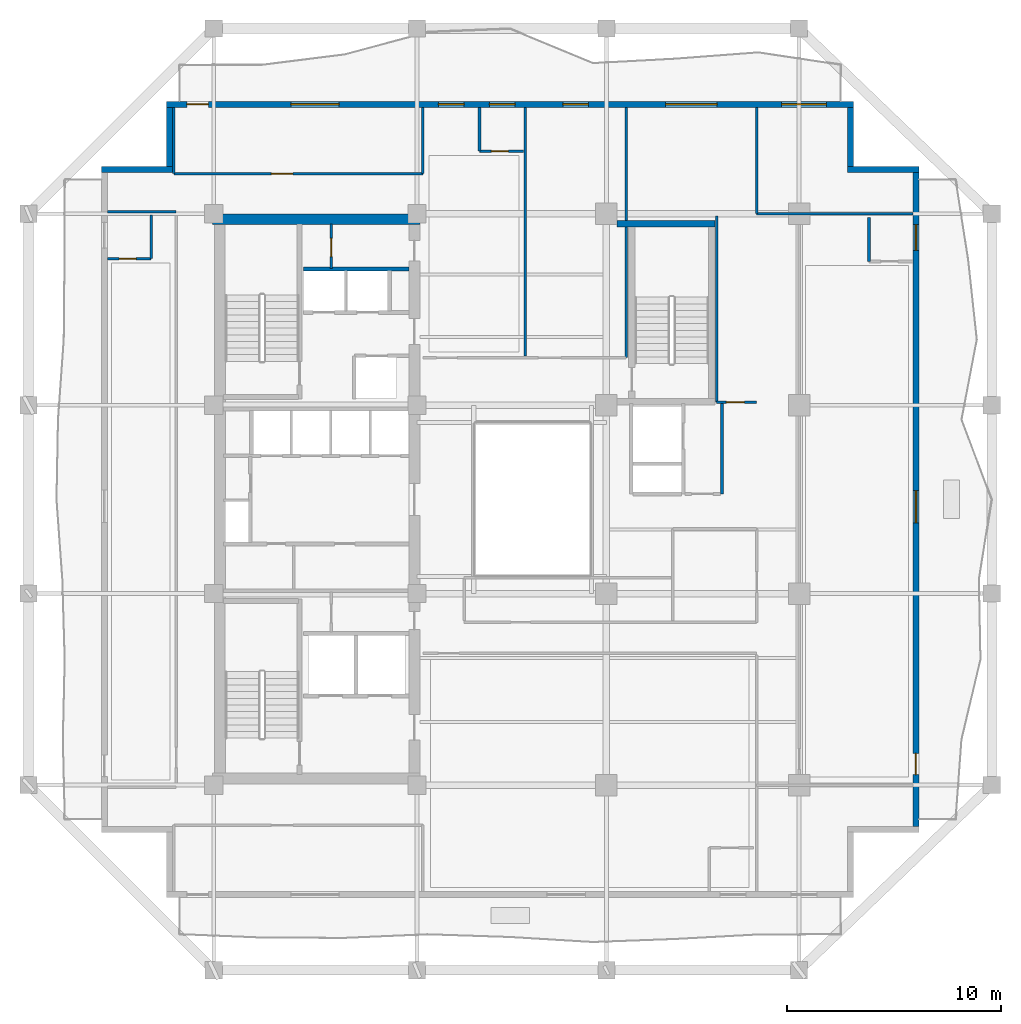
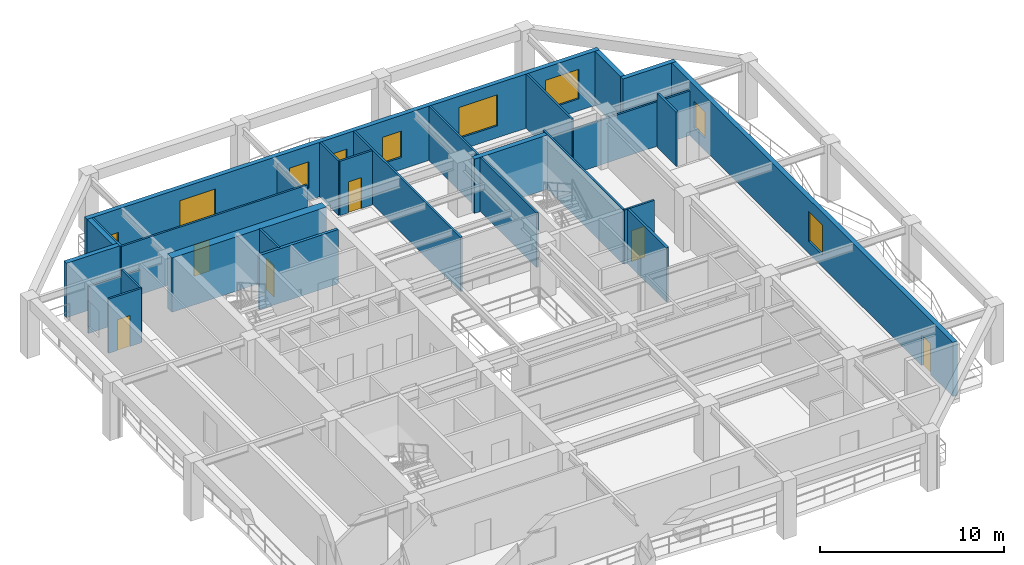
# One storey, part 5 of 10: 26 walls, 8 windows, 7 doors, 15 openings.
"""IFC4 building model written with IfcOpenShell, lengths in metres."""

from ifc_helpers import new_model, si_unit, direction, frame, frame_2d, origin, place, context, subcontext, project, spatial, rectangle, extrude, material, layer, layer_set, type_object, element, fill, save


model = new_model("IFC4")

# Units and contexts
model_context = context("Model", 3, precision=1e-05, world=origin(), true_north=direction((0.0, 1.0)))
body_context = subcontext(model_context, "Body", "Model", "MODEL_VIEW")
ifc_project = project(units=[si_unit("LENGTHUNIT", "METRE"), si_unit("AREAUNIT", "SQUARE_METRE"), si_unit("VOLUMEUNIT", "CUBIC_METRE"), si_unit("PLANEANGLEUNIT", "RADIAN"), si_unit("MASSUNIT", "GRAM", prefix="KILO")], contexts=[model_context])

# Site, building, storey
site_placement = place(None, origin())
site = spatial("IfcSite", under=ifc_project, at=site_placement, CompositionType="ELEMENT")
building_placement = place(site_placement, origin())
building = spatial("IfcBuilding", under=site, at=building_placement, Name="Kundavana Baori Tower", CompositionType="ELEMENT")
storey_placement = place(building_placement, frame((0.0, 0.0, 111.699951171875)))
storey = spatial("IfcBuildingStorey", under=building, at=storey_placement, Name="L26", CompositionType="ELEMENT", Elevation=111.699951171875)

# Wall
ifc_material_1 = material(Name="Concrete C50/60", Category="concrete")
ifc_layer_1 = layer(ifc_material_1, 0.5, Name="WL-CORE-500")
ifc_layer_set_1 = layer_set([ifc_layer_1], Name="Concrete C50/60")
wall_type_1 = type_object("IfcWallType", Name="WL-CORE-500", PredefinedType="SHEAR", material=ifc_layer_set_1)
wall_1_placement = place(storey_placement, frame((15.39990234375, 41.68994140625, 0.0), z_axis=(0.0, 0.0, 1.0), x_axis=(1.0, 0.0, 0.0)))
element("IfcWall", 1, at=wall_1_placement, inside=storey, type_object=wall_type_1, Name="L26 Offset Core North Shear Wall", PredefinedType="SHEAR", context=body_context, shape_type="SweptSolid", body=[
    extrude(rectangle(XDim=9.68017578125, YDim=0.5, at=frame_2d((4.840087890625, 0.0))), origin(), (0.0, 0.0, 1.0), 3.60009765625),
])

# Wall, openings, door, windows
ifc_material_2 = material(Name="Red-Buff Dholpur Sandstone Cladding on Concrete C40/50", Category="masonry")
ifc_layer_2 = layer(ifc_material_2, 0.280029296875, Name="WL-EXT-SAND-280")
ifc_layer_set_2 = layer_set([ifc_layer_2], Name="Red-Buff Dholpur Sandstone Cladding on Concrete C40/50")
wall_type_2 = type_object("IfcWallType", Name="WL-EXT-SAND-280", PredefinedType="STANDARD", material=ifc_layer_set_2)
wall_2_placement = place(storey_placement, frame((48.260009765625, 13.330078125, 0.0), z_axis=(0.0, 0.0, 1.0), x_axis=(0.0, 1.0, 0.0)))
wall_2 = element("IfcWall", 2, at=wall_2_placement, inside=storey, type_object=wall_type_2, Name="L26 Exterior Insulated Facade Wall 04", PredefinedType="STANDARD", context=body_context, shape_type="SweptSolid", body=[
    extrude(rectangle(XDim=30.5400390625, YDim=0.280029296875, at=frame_2d((15.27001953125, 0.0))), origin(), (0.0, 0.0, 1.0), 3.60009765625),
])
opening_1_placement = place(wall_2_placement, frame((2.409912109375, 0.0, 0.0)))
opening_1 = element("IfcOpeningElement", 3, at=opening_1_placement, cuts=wall_2, Name="Opening BD-1", PredefinedType="OPENING", context=body_context, shape_type="SweptSolid", body=[
    extrude(rectangle(XDim=1.0, YDim=2.050048828125, at=frame_2d((0.5, 1.02490234375))), frame((0.0, 0.14990234375, 0.0), z_axis=(0.0, -1.0, 0.0), x_axis=(1.0, 0.0, 0.0)), (0.0, 0.0, 1.0), 0.300048828125),
])
opening_2_placement = place(wall_2_placement, frame((14.179931640625, 0.0, 0.800048828125)))
opening_2 = element("IfcOpeningElement", 4, at=opening_2_placement, cuts=wall_2, Name="Opening W-02", PredefinedType="OPENING", context=body_context, shape_type="SweptSolid", body=[
    extrude(rectangle(XDim=1.5, YDim=2.0, at=frame_2d((0.75, 1.0))), frame((0.0, 0.14990234375, 0.0), z_axis=(0.0, -1.0, 0.0), x_axis=(1.0, 0.0, 0.0)), (0.0, 0.0, 1.0), 0.300048828125),
])
opening_3_placement = place(wall_2_placement, frame((26.905029296875, 0.0, 0.800048828125)))
opening_3 = element("IfcOpeningElement", 5, at=opening_3_placement, cuts=wall_2, Name="Opening W-03", PredefinedType="OPENING", context=body_context, shape_type="SweptSolid", body=[
    extrude(rectangle(XDim=1.199951171875, YDim=1.75, at=frame_2d((0.60009765625, 0.875))), frame((0.0, 0.14990234375, 0.0), z_axis=(0.0, -1.0, 0.0), x_axis=(1.0, 0.0, 0.0)), (0.0, 0.0, 1.0), 0.300048828125),
])
ifc_material_3 = material(Name="Architectural Patinated Bronze Metalwork")
door_type_1 = type_object("IfcDoorType", Name="DR-EXT-LOG-1000", OperationType="NOTDEFINED", PredefinedType="DOOR", material=ifc_material_3)
door_1_placement = place(opening_1_placement, frame((1.0, 0.0, 0.0), z_axis=(0.0, 0.0, 1.0), x_axis=(-1.0, 0.0, 0.0)))
door_1 = element("IfcDoor", 6, at=door_1_placement, inside=storey, type_object=door_type_1, Name="L26 Loggia Balcony Access Door E", OperationType="SINGLE_SWING_RIGHT", OverallHeight=2.050048828125, OverallWidth=1.0, PredefinedType="DOOR", context=body_context, shape_type="SweptSolid", body=[
    extrude(rectangle(XDim=1.0, YDim=2.050048828125, at=frame_2d((0.5, 1.02490234375))), frame((0.0, 0.02490234375, 0.0), z_axis=(0.0, -1.0, 0.0), x_axis=(1.0, 0.0, 0.0)), (0.0, 0.0, 1.0), 0.050048828125),
])
fill(opening_1, door_1)
ifc_material_4 = material(Name="Double-Glazed Solar-Control Low-E Insulated Glass", Category="glass")
window_type_1 = type_object("IfcWindowType", Name="WIN-LOG-1200x1750", PartitioningType="SINGLE_PANEL", PredefinedType="WINDOW", material=ifc_material_4)
window_1_placement = place(opening_3_placement, origin())
window_1 = element("IfcWindow", 7, at=window_1_placement, inside=storey, type_object=window_type_1, Name="L26 Recessed Loggia Window E-2", OverallHeight=1.75, OverallWidth=1.199951171875, PartitioningType="SINGLE_PANEL", PredefinedType="WINDOW", context=body_context, shape_type="SweptSolid", body=[
    extrude(rectangle(XDim=1.199951171875, YDim=1.75, at=frame_2d((0.60009765625, 0.875))), frame((0.0, 0.030029296875, 0.0), z_axis=(0.0, -1.0, 0.0), x_axis=(1.0, 0.0, 0.0)), (0.0, 0.0, 1.0), 0.06005859375),
])
fill(opening_3, window_1)
ifc_material_5 = material(Name="Double-Glazed Solar-Control Low-E Insulated Glass", Category="glass")
window_type_2 = type_object("IfcWindowType", Name="WIN-LOG-1500x2000", PartitioningType="SINGLE_PANEL", PredefinedType="WINDOW", material=ifc_material_5)
window_2_placement = place(opening_2_placement, origin())
window_2 = element("IfcWindow", 8, at=window_2_placement, inside=storey, type_object=window_type_2, Name="L26 Recessed Loggia Window E-1", OverallHeight=2.0, OverallWidth=1.5, PartitioningType="SINGLE_PANEL", PredefinedType="WINDOW", context=body_context, shape_type="SweptSolid", body=[
    extrude(rectangle(XDim=1.5, YDim=2.0, at=frame_2d((0.75, 1.0))), frame((0.0, 0.030029296875, 0.0), z_axis=(0.0, -1.0, 0.0), x_axis=(1.0, 0.0, 0.0)), (0.0, 0.0, 1.0), 0.06005859375),
])
fill(opening_2, window_2)

# Walls
wall_3_placement = place(storey_placement, frame((48.39990234375, 44.010009765625, 0.0), z_axis=(0.0, 0.0, 1.0), x_axis=(-1.0, 0.0, 0.0)))
element("IfcWall", 9, at=wall_3_placement, inside=storey, type_object=wall_type_2, Name="L26 Exterior Insulated Facade Wall 05", PredefinedType="STANDARD", context=body_context, shape_type="SweptSolid", body=[
    extrude(rectangle(XDim=3.329833984375, YDim=0.280029296875, at=frame_2d((1.6650390625, 0.0))), origin(), (0.0, 0.0, 1.0), 3.60009765625),
])
wall_4_placement = place(storey_placement, frame((45.2099609375, 44.14990234375, 0.0), z_axis=(0.0, 0.0, 1.0), x_axis=(0.0, 1.0, 0.0)))
element("IfcWall", 10, at=wall_4_placement, inside=storey, type_object=wall_type_2, Name="L26 Exterior Insulated Facade Wall 06", PredefinedType="STANDARD", context=body_context, shape_type="SweptSolid", body=[
    extrude(rectangle(XDim=2.77001953125, YDim=0.280029296875, at=frame_2d((1.385009765625, 0.0))), origin(), (0.0, 0.0, 1.0), 3.60009765625),
])

# Wall, openings, door, windows
wall_5_placement = place(storey_placement, frame((45.35009765625, 47.06005859375, 0.0), z_axis=(0.0, 0.0, 1.0), x_axis=(-1.0, 0.0, 0.0)))
wall_5 = element("IfcWall", 11, at=wall_5_placement, inside=storey, type_object=wall_type_2, Name="L26 Exterior Insulated Facade Wall 07", PredefinedType="STANDARD", context=body_context, shape_type="SweptSolid", body=[
    extrude(rectangle(XDim=32.10009765625, YDim=0.280029296875, at=frame_2d((16.050048828125, 0.0))), origin(), (0.0, 0.0, 1.0), 3.60009765625),
])
opening_4_placement = place(wall_5_placement, frame((30.14990234375, 0.0, 0.0)))
opening_4 = element("IfcOpeningElement", 12, at=opening_4_placement, cuts=wall_5, Name="Opening BD-1", PredefinedType="OPENING", context=body_context, shape_type="SweptSolid", body=[
    extrude(rectangle(XDim=1.0, YDim=2.050048828125, at=frame_2d((0.5, 1.02490234375))), frame((0.0, 0.14990234375, 0.0), z_axis=(0.0, -1.0, 0.0), x_axis=(1.0, 0.0, 0.0)), (0.0, 0.0, 1.0), 0.300048828125),
])
opening_5_placement = place(wall_5_placement, frame((24.044921875, 0.0, 0.800048828125)))
opening_5 = element("IfcOpeningElement", 13, at=opening_5_placement, cuts=wall_5, Name="Opening W-10", PredefinedType="OPENING", context=body_context, shape_type="SweptSolid", body=[
    extrude(rectangle(XDim=2.25, YDim=2.0, at=frame_2d((1.125, 1.0))), frame((0.0, 0.14990234375, 0.0), z_axis=(0.0, -1.0, 0.0), x_axis=(1.0, 0.0, 0.0)), (0.0, 0.0, 1.0), 0.300048828125),
])
opening_6_placement = place(wall_5_placement, frame((18.205078125, 0.0, 0.800048828125)))
opening_6 = element("IfcOpeningElement", 14, at=opening_6_placement, cuts=wall_5, Name="Opening W-03", PredefinedType="OPENING", context=body_context, shape_type="SweptSolid", body=[
    extrude(rectangle(XDim=1.199951171875, YDim=1.75, at=frame_2d((0.60009765625, 0.875))), frame((0.0, 0.14990234375, 0.0), z_axis=(0.0, -1.0, 0.0), x_axis=(1.0, 0.0, 0.0)), (0.0, 0.0, 1.0), 0.300048828125),
])
opening_7_placement = place(wall_5_placement, frame((15.81494140625, 0.0, 0.800048828125)))
opening_7 = element("IfcOpeningElement", 15, at=opening_7_placement, cuts=wall_5, Name="Opening W-03", PredefinedType="OPENING", context=body_context, shape_type="SweptSolid", body=[
    extrude(rectangle(XDim=1.199951171875, YDim=1.75, at=frame_2d((0.60009765625, 0.875))), frame((0.0, 0.14990234375, 0.0), z_axis=(0.0, -1.0, 0.0), x_axis=(1.0, 0.0, 0.0)), (0.0, 0.0, 1.0), 0.300048828125),
])
opening_8_placement = place(wall_5_placement, frame((12.389892578125, 0.0, 0.800048828125)))
opening_8 = element("IfcOpeningElement", 16, at=opening_8_placement, cuts=wall_5, Name="Opening W-03", PredefinedType="OPENING", context=body_context, shape_type="SweptSolid", body=[
    extrude(rectangle(XDim=1.199951171875, YDim=1.75, at=frame_2d((0.60009765625, 0.875))), frame((0.0, 0.14990234375, 0.0), z_axis=(0.0, -1.0, 0.0), x_axis=(1.0, 0.0, 0.0)), (0.0, 0.0, 1.0), 0.300048828125),
])
opening_9_placement = place(wall_5_placement, frame((6.3798828125, 0.0, 0.800048828125)))
opening_9 = element("IfcOpeningElement", 17, at=opening_9_placement, cuts=wall_5, Name="Opening W-04", PredefinedType="OPENING", context=body_context, shape_type="SweptSolid", body=[
    extrude(rectangle(XDim=2.39990234375, YDim=2.050048828125, at=frame_2d((1.199951171875, 1.02490234375))), frame((0.0, 0.14990234375, 0.0), z_axis=(0.0, -1.0, 0.0), x_axis=(1.0, 0.0, 0.0)), (0.0, 0.0, 1.0), 0.300048828125),
])
opening_10_placement = place(wall_5_placement, frame((1.27001953125, 0.0, 0.800048828125)))
opening_10 = element("IfcOpeningElement", 18, at=opening_10_placement, cuts=wall_5, Name="Opening W-05", PredefinedType="OPENING", context=body_context, shape_type="SweptSolid", body=[
    extrude(rectangle(XDim=2.10009765625, YDim=1.949951171875, at=frame_2d((1.050048828125, 0.97509765625))), frame((0.0, 0.14990234375, 0.0), z_axis=(0.0, -1.0, 0.0), x_axis=(1.0, 0.0, 0.0)), (0.0, 0.0, 1.0), 0.300048828125),
])
door_2_placement = place(opening_4_placement, frame((1.0, 0.0, 0.0), z_axis=(0.0, 0.0, 1.0), x_axis=(-1.0, 0.0, 0.0)))
door_2 = element("IfcDoor", 19, at=door_2_placement, inside=storey, type_object=door_type_1, Name="L26 Loggia Balcony Access Door N", OperationType="SINGLE_SWING_LEFT", OverallHeight=2.050048828125, OverallWidth=1.0, PredefinedType="DOOR", context=body_context, shape_type="SweptSolid", body=[
    extrude(rectangle(XDim=1.0, YDim=2.050048828125, at=frame_2d((0.5, 1.02490234375))), frame((0.0, 0.02490234375, 0.0), z_axis=(0.0, -1.0, 0.0), x_axis=(1.0, 0.0, 0.0)), (0.0, 0.0, 1.0), 0.050048828125),
])
fill(opening_4, door_2)
window_3_placement = place(opening_6_placement, origin())
window_3 = element("IfcWindow", 20, at=window_3_placement, inside=storey, type_object=window_type_1, Name="L26 Recessed Loggia Window N-2", OverallHeight=1.75, OverallWidth=1.199951171875, PartitioningType="SINGLE_PANEL", PredefinedType="WINDOW", context=body_context, shape_type="SweptSolid", body=[
    extrude(rectangle(XDim=1.199951171875, YDim=1.75, at=frame_2d((0.60009765625, 0.875))), frame((0.0, 0.030029296875, 0.0), z_axis=(0.0, -1.0, 0.0), x_axis=(1.0, 0.0, 0.0)), (0.0, 0.0, 1.0), 0.06005859375),
])
fill(opening_6, window_3)
window_4_placement = place(opening_7_placement, origin())
window_4 = element("IfcWindow", 21, at=window_4_placement, inside=storey, type_object=window_type_1, Name="L26 Recessed Loggia Window N-3", OverallHeight=1.75, OverallWidth=1.199951171875, PartitioningType="SINGLE_PANEL", PredefinedType="WINDOW", context=body_context, shape_type="SweptSolid", body=[
    extrude(rectangle(XDim=1.199951171875, YDim=1.75, at=frame_2d((0.60009765625, 0.875))), frame((0.0, 0.030029296875, 0.0), z_axis=(0.0, -1.0, 0.0), x_axis=(1.0, 0.0, 0.0)), (0.0, 0.0, 1.0), 0.06005859375),
])
fill(opening_7, window_4)
window_5_placement = place(opening_8_placement, origin())
window_5 = element("IfcWindow", 22, at=window_5_placement, inside=storey, type_object=window_type_1, Name="L26 Recessed Loggia Window N-4", OverallHeight=1.75, OverallWidth=1.199951171875, PartitioningType="SINGLE_PANEL", PredefinedType="WINDOW", context=body_context, shape_type="SweptSolid", body=[
    extrude(rectangle(XDim=1.199951171875, YDim=1.75, at=frame_2d((0.60009765625, 0.875))), frame((0.0, 0.030029296875, 0.0), z_axis=(0.0, -1.0, 0.0), x_axis=(1.0, 0.0, 0.0)), (0.0, 0.0, 1.0), 0.06005859375),
])
fill(opening_8, window_5)
ifc_material_6 = material(Name="Double-Glazed Solar-Control Low-E Insulated Glass", Category="glass")
window_type_3 = type_object("IfcWindowType", Name="WIN-LOG-2100x1950", PartitioningType="SINGLE_PANEL", PredefinedType="WINDOW", material=ifc_material_6)
window_6_placement = place(opening_10_placement, origin())
window_6 = element("IfcWindow", 23, at=window_6_placement, inside=storey, type_object=window_type_3, Name="L26 Recessed Loggia Window N-6", OverallHeight=1.949951171875, OverallWidth=2.10009765625, PartitioningType="SINGLE_PANEL", PredefinedType="WINDOW", context=body_context, shape_type="SweptSolid", body=[
    extrude(rectangle(XDim=2.10009765625, YDim=1.949951171875, at=frame_2d((1.050048828125, 0.97509765625))), frame((0.0, 0.030029296875, 0.0), z_axis=(0.0, -1.0, 0.0), x_axis=(1.0, 0.0, 0.0)), (0.0, 0.0, 1.0), 0.06005859375),
])
fill(opening_10, window_6)
ifc_material_7 = material(Name="Double-Glazed Solar-Control Low-E Insulated Glass", Category="glass")
window_type_4 = type_object("IfcWindowType", Name="WIN-LOG-2250x2000", PartitioningType="SINGLE_PANEL", PredefinedType="WINDOW", material=ifc_material_7)
window_7_placement = place(opening_5_placement, origin())
window_7 = element("IfcWindow", 24, at=window_7_placement, inside=storey, type_object=window_type_4, Name="L26 Recessed Loggia Window N-1", OverallHeight=2.0, OverallWidth=2.25, PartitioningType="SINGLE_PANEL", PredefinedType="WINDOW", context=body_context, shape_type="SweptSolid", body=[
    extrude(rectangle(XDim=2.25, YDim=2.0, at=frame_2d((1.125, 1.0))), frame((0.0, 0.030029296875, 0.0), z_axis=(0.0, -1.0, 0.0), x_axis=(1.0, 0.0, 0.0)), (0.0, 0.0, 1.0), 0.06005859375),
])
fill(opening_5, window_7)
ifc_material_8 = material(Name="Double-Glazed Solar-Control Low-E Insulated Glass", Category="glass")
window_type_5 = type_object("IfcWindowType", Name="WIN-LOG-2400x2050", PartitioningType="SINGLE_PANEL", PredefinedType="WINDOW", material=ifc_material_8)
window_8_placement = place(opening_9_placement, origin())
window_8 = element("IfcWindow", 25, at=window_8_placement, inside=storey, type_object=window_type_5, Name="L26 Recessed Loggia Window N-5", OverallHeight=2.050048828125, OverallWidth=2.39990234375, PartitioningType="SINGLE_PANEL", PredefinedType="WINDOW", context=body_context, shape_type="SweptSolid", body=[
    extrude(rectangle(XDim=2.39990234375, YDim=2.050048828125, at=frame_2d((1.199951171875, 1.02490234375))), frame((0.0, 0.030029296875, 0.0), z_axis=(0.0, -1.0, 0.0), x_axis=(1.0, 0.0, 0.0)), (0.0, 0.0, 1.0), 0.06005859375),
])
fill(opening_9, window_8)

# Walls
wall_6_placement = place(storey_placement, frame((13.389892578125, 46.919921875, 0.0), z_axis=(0.0, 0.0, 1.0), x_axis=(0.0, -1.0, 0.0)))
element("IfcWall", 26, at=wall_6_placement, inside=storey, type_object=wall_type_2, Name="L26 Exterior Insulated Facade Wall 08", PredefinedType="STANDARD", context=body_context, shape_type="SweptSolid", body=[
    extrude(rectangle(XDim=2.77001953125, YDim=0.280029296875, at=frame_2d((1.385009765625, 0.0))), origin(), (0.0, 0.0, 1.0), 3.60009765625),
])
wall_7_placement = place(storey_placement, frame((13.530029296875, 44.010009765625, 0.0), z_axis=(0.0, 0.0, 1.0), x_axis=(-1.0, 0.0, 0.0)))
element("IfcWall", 27, at=wall_7_placement, inside=storey, type_object=wall_type_2, Name="L26 Exterior Insulated Facade Wall 09", PredefinedType="STANDARD", context=body_context, shape_type="SweptSolid", body=[
    extrude(rectangle(XDim=3.330078125, YDim=0.280029296875, at=frame_2d((1.6650390625, 0.0))), origin(), (0.0, 0.0, 1.0), 3.60009765625),
])

# Wall, opening, door
ifc_material_9 = material(Name="Acoustic Gypsum Plasterboard on Galvanised Steel Studs", Category="steel")
ifc_layer_3 = layer(ifc_material_9, 0.1201171875, Name="WL-PART-120")
ifc_layer_set_3 = layer_set([ifc_layer_3], Name="Acoustic Gypsum Plasterboard on Galvanised Steel Studs")
wall_type_3 = type_object("IfcWallType", Name="WL-PART-120", PredefinedType="PARTITIONING", material=ifc_layer_set_3)
wall_8_placement = place(storey_placement, frame((20.949951171875, 39.39990234375, 0.0), z_axis=(0.0, 0.0, 1.0), x_axis=(0.0, 1.0, 0.0)))
wall_8 = element("IfcWall", 28, at=wall_8_placement, inside=storey, type_object=wall_type_3, Name="WL-L26-CSRV-D2", PredefinedType="PARTITIONING", context=body_context, shape_type="SweptSolid", body=[
    extrude(rectangle(XDim=2.080078125, YDim=0.1201171875, at=frame_2d((1.0400390625, 0.0))), origin(), (0.0, 0.0, 1.0), 3.60009765625),
])
opening_11_placement = place(wall_8_placement, frame((0.550048828125, 0.0, 0.0)))
opening_11 = element("IfcOpeningElement", 29, at=opening_11_placement, cuts=wall_8, Name="Opening FD-085", PredefinedType="OPENING", context=body_context, shape_type="SweptSolid", body=[
    extrude(rectangle(XDim=0.85009765625, YDim=2.06005859375, at=frame_2d((0.425048828125, 1.030029296875))), frame((0.0, 0.070068359375, 0.0), z_axis=(0.0, -1.0, 0.0), x_axis=(1.0, 0.0, 0.0)), (0.0, 0.0, 1.0), 0.14013671875),
])
ifc_material_10 = material(Name="Galvanised Steel Fire-Rated Door Leaf", Category="steel")
door_type_2 = type_object("IfcDoorType", Name="DR-FD60-850", OperationType="NOTDEFINED", PredefinedType="DOOR", material=ifc_material_10)
door_3_placement = place(opening_11_placement, origin())
door_3 = element("IfcDoor", 30, at=door_3_placement, inside=storey, type_object=door_type_2, Name="DR-L26-CSRV1", OperationType="SINGLE_SWING_RIGHT", OverallHeight=2.06005859375, OverallWidth=0.85009765625, PredefinedType="DOOR", context=body_context, shape_type="SweptSolid", body=[
    extrude(rectangle(XDim=0.85009765625, YDim=2.06005859375, at=frame_2d((0.425048828125, 1.030029296875))), frame((0.0, 0.02490234375, 0.0), z_axis=(0.0, -1.0, 0.0), x_axis=(1.0, 0.0, 0.0)), (0.0, 0.0, 1.0), 0.050048828125),
])
fill(opening_11, door_3)

# Walls
wall_9_placement = place(storey_placement, frame((40.820068359375, 41.949951171875, 0.0), z_axis=(0.0, 0.0, 1.0), x_axis=(1.0, 0.0, 0.0)))
element("IfcWall", 31, at=wall_9_placement, inside=storey, type_object=wall_type_3, Name="WL-L26-HEN", PredefinedType="PARTITIONING", context=body_context, shape_type="SweptSolid", body=[
    extrude(rectangle(XDim=7.300048828125, YDim=0.1201171875, at=frame_2d((3.64990234375, 0.0))), origin(), (0.0, 0.0, 1.0), 2.949951171875),
])
wall_10_placement = place(storey_placement, frame((10.47998046875, 42.0400390625, 0.0), z_axis=(0.0, 0.0, 1.0), x_axis=(1.0, 0.0, 0.0)))
element("IfcWall", 32, at=wall_10_placement, inside=storey, type_object=wall_type_3, Name="WL-L26-HWN", PredefinedType="PARTITIONING", context=body_context, shape_type="SweptSolid", body=[
    extrude(rectangle(XDim=3.219970703125, YDim=0.1201171875, at=frame_2d((1.60986328125, 0.0))), origin(), (0.0, 0.0, 1.0), 3.10009765625),
])

# Wall, opening, door
wall_11_placement = place(storey_placement, frame((13.590087890625, 43.820068359375, 0.0), z_axis=(0.0, 0.0, 1.0), x_axis=(1.0, 0.0, 0.0)))
wall_11 = element("IfcWall", 33, at=wall_11_placement, inside=storey, type_object=wall_type_3, Name="WL-L26-HNC", PredefinedType="PARTITIONING", context=body_context, shape_type="SweptSolid", body=[
    extrude(rectangle(XDim=11.6298828125, YDim=0.1201171875, at=frame_2d((5.81494140625, 0.0))), origin(), (0.0, 0.0, 1.0), 3.60009765625),
])
opening_12_placement = place(wall_11_placement, frame((4.56005859375, 0.0, 0.0)))
opening_12 = element("IfcOpeningElement", 34, at=opening_12_placement, cuts=wall_11, Name="Opening ID-100", PredefinedType="OPENING", context=body_context, shape_type="SweptSolid", body=[
    extrude(rectangle(XDim=1.0, YDim=2.080078125, at=frame_2d((0.5, 1.0400390625))), frame((0.0, 0.070068359375, 0.0), z_axis=(0.0, -1.0, 0.0), x_axis=(1.0, 0.0, 0.0)), (0.0, 0.0, 1.0), 0.14013671875),
])
ifc_material_11 = material(Name="Engineered Teak Solid-Core Timber Veneer", Category="wood")
door_type_3 = type_object("IfcDoorType", Name="DR-INT-1000", OperationType="NOTDEFINED", PredefinedType="DOOR", material=ifc_material_11)
door_4_placement = place(opening_12_placement, origin())
door_4 = element("IfcDoor", 35, at=door_4_placement, inside=storey, type_object=door_type_3, Name="DR-L26-HMNW", OperationType="SINGLE_SWING_RIGHT", OverallHeight=2.080078125, OverallWidth=1.0, PredefinedType="DOOR", context=body_context, shape_type="SweptSolid", body=[
    extrude(rectangle(XDim=1.0, YDim=2.080078125, at=frame_2d((0.5, 1.0400390625))), frame((0.0, 0.02490234375, 0.0), z_axis=(0.0, -1.0, 0.0), x_axis=(1.0, 0.0, 0.0)), (0.0, 0.0, 1.0), 0.050048828125),
])
fill(opening_12, door_4)

# Walls
wall_12_placement = place(storey_placement, frame((13.590087890625, 43.820068359375, 0.0), z_axis=(0.0, 0.0, 1.0), x_axis=(0.0, 1.0, 0.0)))
element("IfcWall", 36, at=wall_12_placement, inside=storey, type_object=wall_type_3, Name="WL-L26-HNCW", PredefinedType="PARTITIONING", context=body_context, shape_type="SweptSolid", body=[
    extrude(rectangle(XDim=3.099853515625, YDim=0.1201171875, at=frame_2d((1.5498046875, 0.0))), origin(), (0.0, 0.0, 1.0), 3.60009765625),
])
wall_13_placement = place(storey_placement, frame((25.219970703125, 43.820068359375, 0.0), z_axis=(0.0, 0.0, 1.0), x_axis=(0.0, 1.0, 0.0)))
element("IfcWall", 37, at=wall_13_placement, inside=storey, type_object=wall_type_3, Name="WL-L26-HNCE", PredefinedType="PARTITIONING", context=body_context, shape_type="SweptSolid", body=[
    extrude(rectangle(XDim=3.099853515625, YDim=0.1201171875, at=frame_2d((1.5498046875, 0.0))), origin(), (0.0, 0.0, 1.0), 3.10009765625),
])
wall_14_placement = place(storey_placement, frame((34.719970703125, 35.219970703125, 0.0), z_axis=(0.0, 0.0, 1.0), x_axis=(0.0, 1.0, 0.0)))
element("IfcWall", 38, at=wall_14_placement, inside=storey, type_object=wall_type_3, Name="WL-L26-HNEND", PredefinedType="PARTITIONING", context=body_context, shape_type="SweptSolid", body=[
    extrude(rectangle(XDim=11.699951171875, YDim=0.1201171875, at=frame_2d((5.85009765625, 0.0))), origin(), (0.0, 0.0, 1.0), 3.60009765625),
])
wall_15_placement = place(storey_placement, frame((30.0, 35.300048828125, 0.0), z_axis=(0.0, 0.0, 1.0), x_axis=(0.0, 1.0, 0.0)))
element("IfcWall", 39, at=wall_15_placement, inside=storey, type_object=wall_type_3, Name="WL-L26-HND1", PredefinedType="PARTITIONING", context=body_context, shape_type="SweptSolid", body=[
    extrude(rectangle(XDim=11.619873046875, YDim=0.1201171875, at=frame_2d((5.81005859375, 0.0))), origin(), (0.0, 0.0, 1.0), 3.60009765625),
])

# Wall, opening, door
wall_16_placement = place(storey_placement, frame((38.949951171875, 33.14990234375, 0.0), z_axis=(0.0, 0.0, 1.0), x_axis=(1.0, 0.0, 0.0)))
wall_16 = element("IfcWall", 40, at=wall_16_placement, inside=storey, type_object=wall_type_3, Name="WL-L26-HNES", PredefinedType="PARTITIONING", context=body_context, shape_type="SweptSolid", body=[
    extrude(rectangle(XDim=1.8701171875, YDim=0.1201171875, at=frame_2d((0.93505859375, 0.0))), origin(), (0.0, 0.0, 1.0), 3.60009765625),
])
opening_13_placement = place(wall_16_placement, frame((0.449951171875, 0.0, 0.0)))
opening_13 = element("IfcOpeningElement", 41, at=opening_13_placement, cuts=wall_16, Name="Opening WD-085", PredefinedType="OPENING", context=body_context, shape_type="SweptSolid", body=[
    extrude(rectangle(XDim=0.85009765625, YDim=2.050048828125, at=frame_2d((0.425048828125, 1.02490234375))), frame((0.0, 0.070068359375, 0.0), z_axis=(0.0, -1.0, 0.0), x_axis=(1.0, 0.0, 0.0)), (0.0, 0.0, 1.0), 0.14013671875),
])
ifc_material_12 = material(Name="Engineered Teak Solid-Core Timber Veneer", Category="wood")
door_type_4 = type_object("IfcDoorType", Name="DR-WET-850", OperationType="NOTDEFINED", PredefinedType="DOOR", material=ifc_material_12)
door_5_placement = place(opening_13_placement, origin())
door_5 = element("IfcDoor", 42, at=door_5_placement, inside=storey, type_object=door_type_4, Name="DR-L26-HLNE", OperationType="SINGLE_SWING_LEFT", OverallHeight=2.050048828125, OverallWidth=0.85009765625, PredefinedType="DOOR", context=body_context, shape_type="SweptSolid", body=[
    extrude(rectangle(XDim=0.85009765625, YDim=2.050048828125, at=frame_2d((0.425048828125, 1.02490234375))), frame((0.0, 0.02490234375, 0.0), z_axis=(0.0, -1.0, 0.0), x_axis=(1.0, 0.0, 0.0)), (0.0, 0.0, 1.0), 0.050048828125),
])
fill(opening_13, door_5)

# Walls
wall_17_placement = place(storey_placement, frame((38.949951171875, 33.14990234375, 0.0), z_axis=(0.0, 0.0, 1.0), x_axis=(0.0, 1.0, 0.0)))
element("IfcWall", 43, at=wall_17_placement, inside=storey, type_object=wall_type_3, Name="WL-L26-HNEW", PredefinedType="PARTITIONING", context=body_context, shape_type="SweptSolid", body=[
    extrude(rectangle(XDim=8.7001953125, YDim=0.1201171875, at=frame_2d((4.35009765625, 0.0))), origin(), (0.0, 0.0, 1.0), 3.60009765625),
])
wall_18_placement = place(storey_placement, frame((40.820068359375, 41.949951171875, 0.0), z_axis=(0.0, 0.0, 1.0), x_axis=(0.0, 1.0, 0.0)))
element("IfcWall", 44, at=wall_18_placement, inside=storey, type_object=wall_type_3, Name="WL-L26-HNEE", PredefinedType="PARTITIONING", context=body_context, shape_type="SweptSolid", body=[
    extrude(rectangle(XDim=4.969970703125, YDim=0.1201171875, at=frame_2d((2.48486328125, 0.0))), origin(), (0.0, 0.0, 1.0), 3.60009765625),
])
ifc_material_13 = material(Name="Fire-Rated Gypsum Drywall on Galvanised Steel Studs", Category="steel")
ifc_layer_4 = layer(ifc_material_13, 0.14990234375, Name="WL-PART-150")
ifc_layer_set_4 = layer_set([ifc_layer_4], Name="Fire-Rated Gypsum Drywall on Galvanised Steel Studs")
wall_type_4 = type_object("IfcWallType", Name="WL-PART-150", PredefinedType="PARTITIONING", material=ifc_layer_set_4)
wall_19_placement = place(storey_placement, frame((39.199951171875, 28.860107421875, 0.0), z_axis=(0.0, 0.0, 1.0), x_axis=(0.0, 1.0, 0.0)))
element("IfcWall", 45, at=wall_19_placement, inside=storey, type_object=wall_type_4, Name="WL-L26-SVLOB-E", PredefinedType="PARTITIONING", context=body_context, shape_type="SweptSolid", body=[
    extrude(rectangle(XDim=4.219970703125, YDim=0.14990234375, at=frame_2d((2.10986328125, 0.0))), origin(), (0.0, 0.0, 1.0), 3.60009765625),
])
ifc_material_14 = material(Name="Autoclaved Aerated Concrete Blockwork Masonry", Category="masonry")
ifc_layer_5 = layer(ifc_material_14, 0.179931640625, Name="WL-SHAFT-180")
ifc_layer_set_5 = layer_set([ifc_layer_5], Name="Autoclaved Aerated Concrete Blockwork Masonry")
wall_type_5 = type_object("IfcWallType", Name="WL-SHAFT-180", PredefinedType="SOLIDWALL", material=ifc_layer_set_5)
wall_20_placement = place(storey_placement, frame((19.639892578125, 39.360107421875, 0.0), z_axis=(0.0, 0.0, 1.0), x_axis=(1.0, 0.0, 0.0)))
element("IfcWall", 46, at=wall_20_placement, inside=storey, type_object=wall_type_5, Name="WL-L26-HRLOB-TOP", PredefinedType="SOLIDWALL", context=body_context, shape_type="SweptSolid", body=[
    extrude(rectangle(XDim=4.940185546875, YDim=0.179931640625, at=frame_2d((2.47021484375, 0.0))), origin(), (0.0, 0.0, 1.0), 3.60009765625),
])
ifc_material_15 = material(Name="Concrete C50/60", Category="concrete")
ifc_layer_6 = layer(ifc_material_15, 0.300048828125, Name="WL-ST3-300")
ifc_layer_set_6 = layer_set([ifc_layer_6], Name="Concrete C50/60")
wall_type_6 = type_object("IfcWallType", Name="WL-ST3-300", PredefinedType="SHEAR", material=ifc_layer_set_6)
wall_21_placement = place(storey_placement, frame((34.300048828125, 41.489990234375, 0.0), z_axis=(0.0, 0.0, 1.0), x_axis=(1.0, 0.0, 0.0)))
element("IfcWall", 47, at=wall_21_placement, inside=storey, type_object=wall_type_6, Name="L26 Stair ST3 North Shear Wall", PredefinedType="SHEAR", context=body_context, shape_type="SweptSolid", body=[
    extrude(rectangle(XDim=4.570068359375, YDim=0.300048828125, at=frame_2d((2.28515625, 0.0))), origin(), (0.0, 0.0, 1.0), 3.60009765625),
])
ifc_material_16 = material(Name="Autoclaved Aerated Concrete Blockwork Masonry", Category="masonry")
ifc_layer_7 = layer(ifc_material_16, 0.125, Name="WL-WET-120")
ifc_layer_set_7 = layer_set([ifc_layer_7], Name="Autoclaved Aerated Concrete Blockwork Masonry")
wall_type_7 = type_object("IfcWallType", Name="WL-WET-120", PredefinedType="PLUMBINGWALL", material=ifc_layer_set_7)
wall_22_placement = place(storey_placement, frame((12.530029296875, 39.85009765625, 0.0), z_axis=(0.0, 0.0, 1.0), x_axis=(0.0, 1.0, 0.0)))
element("IfcWall", 48, at=wall_22_placement, inside=storey, type_object=wall_type_7, Name="WL-L26-HK-W1-BE", PredefinedType="PLUMBINGWALL", context=body_context, shape_type="SweptSolid", body=[
    extrude(rectangle(XDim=2.0498046875, YDim=0.125, at=frame_2d((1.02490234375, 0.0))), origin(), (0.0, 0.0, 1.0), 3.60009765625),
])

# Wall, opening, door
wall_23_placement = place(storey_placement, frame((10.47998046875, 39.85009765625, 0.0), z_axis=(0.0, 0.0, 1.0), x_axis=(1.0, 0.0, 0.0)))
wall_23 = element("IfcWall", 49, at=wall_23_placement, inside=storey, type_object=wall_type_7, Name="WL-L26-HK-W1-BS", PredefinedType="PLUMBINGWALL", context=body_context, shape_type="SweptSolid", body=[
    extrude(rectangle(XDim=2.050048828125, YDim=0.125, at=frame_2d((1.02490234375, 0.0))), origin(), (0.0, 0.0, 1.0), 3.60009765625),
])
opening_14_placement = place(wall_23_placement, frame((0.550048828125, 0.0, 0.0)))
opening_14 = element("IfcOpeningElement", 50, at=opening_14_placement, cuts=wall_23, Name="Opening WD-080", PredefinedType="OPENING", context=body_context, shape_type="SweptSolid", body=[
    extrude(rectangle(XDim=0.800048828125, YDim=2.050048828125, at=frame_2d((0.39990234375, 1.02490234375))), frame((0.0, 0.072509765625, 0.0), z_axis=(0.0, -1.0, 0.0), x_axis=(1.0, 0.0, 0.0)), (0.0, 0.0, 1.0), 0.14501953125),
])
ifc_material_17 = material(Name="Engineered Teak Solid-Core Timber Veneer", Category="wood")
door_type_5 = type_object("IfcDoorType", Name="DR-WET-800", OperationType="NOTDEFINED", PredefinedType="DOOR", material=ifc_material_17)
door_6_placement = place(opening_14_placement, frame((0.800048828125, 0.0, 0.0), z_axis=(0.0, 0.0, 1.0), x_axis=(-1.0, 0.0, 0.0)))
door_6 = element("IfcDoor", 51, at=door_6_placement, inside=storey, type_object=door_type_5, Name="DR-L26-HK-W1-ENS", OperationType="SINGLE_SWING_LEFT", OverallHeight=2.050048828125, OverallWidth=0.800048828125, PredefinedType="DOOR", context=body_context, shape_type="SweptSolid", body=[
    extrude(rectangle(XDim=0.800048828125, YDim=2.050048828125, at=frame_2d((0.39990234375, 1.02490234375))), frame((0.0, 0.02490234375, 0.0), z_axis=(0.0, -1.0, 0.0), x_axis=(1.0, 0.0, 0.0)), (0.0, 0.0, 1.0), 0.050048828125),
])
fill(opening_14, door_6)

# Walls
wall_24_placement = place(storey_placement, frame((46.070068359375, 39.719970703125, 0.0), z_axis=(0.0, 0.0, 1.0), x_axis=(0.0, 1.0, 0.0)))
element("IfcWall", 52, at=wall_24_placement, inside=storey, type_object=wall_type_7, Name="WL-L26-HK-E1-BW", PredefinedType="PLUMBINGWALL", context=body_context, shape_type="SweptSolid", body=[
    extrude(rectangle(XDim=2.050048828125, YDim=0.125, at=frame_2d((1.02490234375, 0.0))), origin(), (0.0, 0.0, 1.0), 3.60009765625),
])
wall_25_placement = place(storey_placement, frame((27.8701171875, 44.8701171875, 0.0), z_axis=(0.0, 0.0, 1.0), x_axis=(0.0, 1.0, 0.0)))
element("IfcWall", 53, at=wall_25_placement, inside=storey, type_object=wall_type_7, Name="WL-L26-HK-N1-BW", PredefinedType="PLUMBINGWALL", context=body_context, shape_type="SweptSolid", body=[
    extrude(rectangle(XDim=2.0498046875, YDim=0.125, at=frame_2d((1.02490234375, 0.0))), origin(), (0.0, 0.0, 1.0), 3.60009765625),
])

# Wall, opening, door
wall_26_placement = place(storey_placement, frame((27.8701171875, 44.8701171875, 0.0), z_axis=(0.0, 0.0, 1.0), x_axis=(1.0, 0.0, 0.0)))
wall_26 = element("IfcWall", 54, at=wall_26_placement, inside=storey, type_object=wall_type_7, Name="WL-L26-HK-N1-BS", PredefinedType="PLUMBINGWALL", context=body_context, shape_type="SweptSolid", body=[
    extrude(rectangle(XDim=2.0498046875, YDim=0.125, at=frame_2d((1.02490234375, 0.0))), origin(), (0.0, 0.0, 1.0), 3.60009765625),
])
opening_15_placement = place(wall_26_placement, frame((0.550048828125, 0.0, 0.0)))
opening_15 = element("IfcOpeningElement", 55, at=opening_15_placement, cuts=wall_26, Name="Opening WD-080", PredefinedType="OPENING", context=body_context, shape_type="SweptSolid", body=[
    extrude(rectangle(XDim=0.800048828125, YDim=2.050048828125, at=frame_2d((0.39990234375, 1.02490234375))), frame((0.0, 0.072509765625, 0.0), z_axis=(0.0, -1.0, 0.0), x_axis=(1.0, 0.0, 0.0)), (0.0, 0.0, 1.0), 0.14501953125),
])
door_7_placement = place(opening_15_placement, frame((0.800048828125, 0.0, 0.0), z_axis=(0.0, 0.0, 1.0), x_axis=(-1.0, 0.0, 0.0)))
door_7 = element("IfcDoor", 56, at=door_7_placement, inside=storey, type_object=door_type_5, Name="DR-L26-HK-N1-ENS", OperationType="SINGLE_SWING_LEFT", OverallHeight=2.050048828125, OverallWidth=0.800048828125, PredefinedType="DOOR", context=body_context, shape_type="SweptSolid", body=[
    extrude(rectangle(XDim=0.800048828125, YDim=2.050048828125, at=frame_2d((0.39990234375, 1.02490234375))), frame((0.0, 0.02490234375, 0.0), z_axis=(0.0, -1.0, 0.0), x_axis=(1.0, 0.0, 0.0)), (0.0, 0.0, 1.0), 0.050048828125),
])
fill(opening_15, door_7)

save(model, "model.ifc")
